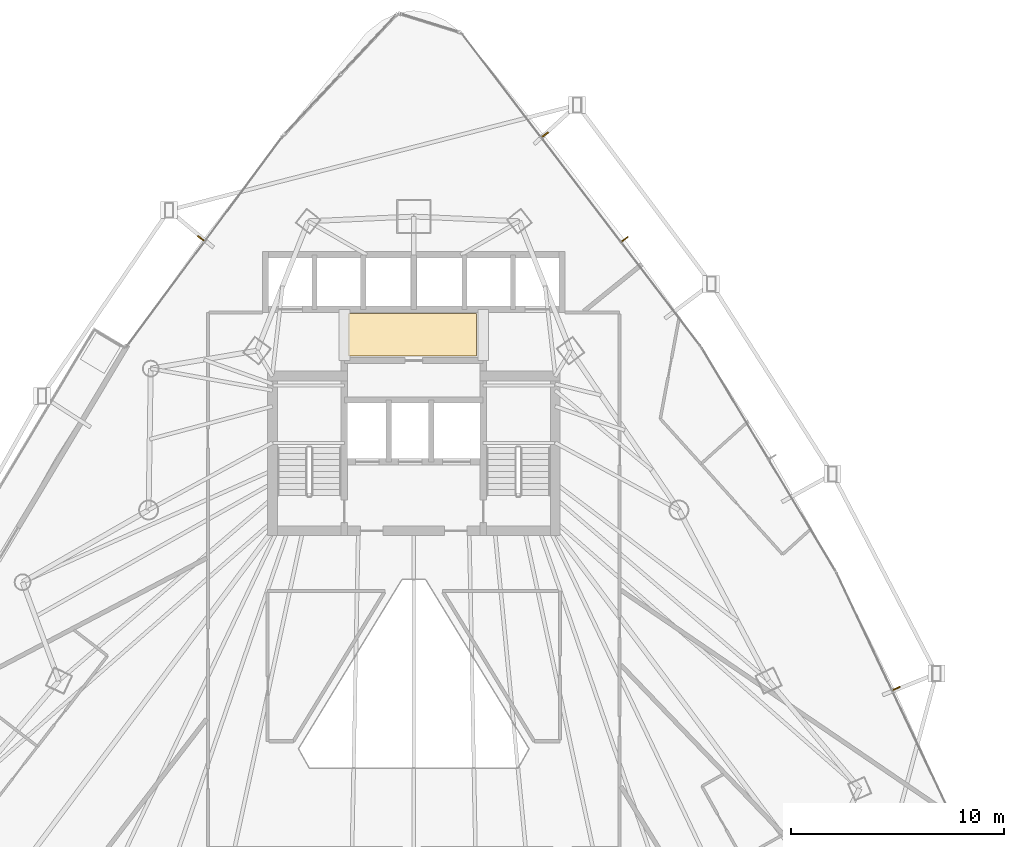
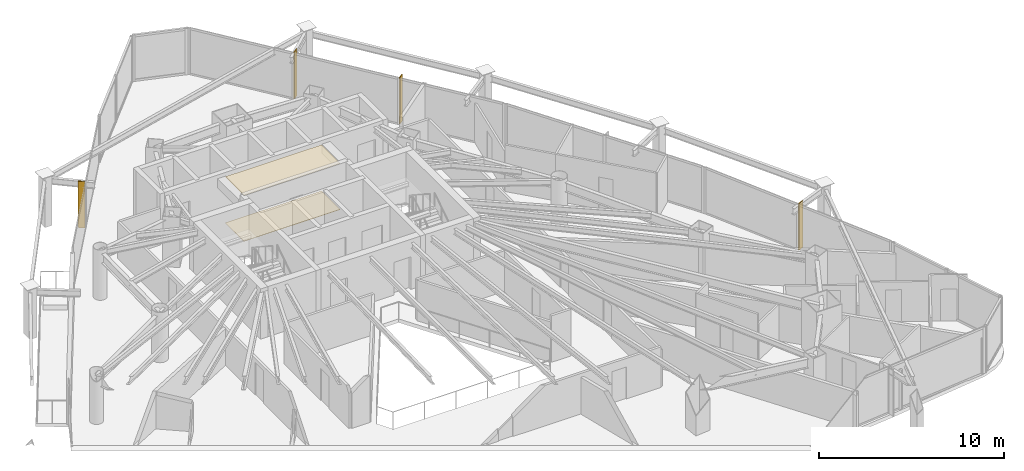
# One storey, part 34 of 34: 4 shading devices, 2 coverings.
"""IFC4 building model written with IfcOpenShell, lengths in metres."""

from ifc_helpers import new_model, si_unit, direction, frame, origin, origin_2d, place, context, subcontext, project, spatial, polyline, rectangle, outline, extrude, material, layer, layer_set, type_object, element, save


model = new_model("IFC4")

# Units and contexts
model_context = context("Model", 3, precision=1e-05, world=origin(), true_north=direction((0.0, 1.0)))
body_context = subcontext(model_context, "Body", "Model", "MODEL_VIEW")
ifc_project = project(units=[si_unit("LENGTHUNIT", "METRE"), si_unit("AREAUNIT", "SQUARE_METRE"), si_unit("VOLUMEUNIT", "CUBIC_METRE"), si_unit("PLANEANGLEUNIT", "RADIAN"), si_unit("MASSUNIT", "GRAM", prefix="KILO")], contexts=[model_context])

# Site, building, storey
site_placement = place(None, origin())
site = spatial("IfcSite", under=ifc_project, at=site_placement, CompositionType="ELEMENT")
building_placement = place(site_placement, origin())
building = spatial("IfcBuilding", under=site, at=building_placement, Name="Orvanel Arch Residences", CompositionType="ELEMENT")
storey_placement = place(building_placement, frame((0.0, 0.0, 80.75)))
storey = spatial("IfcBuildingStorey", under=building, at=storey_placement, Name="L22", CompositionType="ELEMENT", Elevation=80.75)

# Coverings
ifc_material_1 = material(Name="Perforated acoustic mineral-fibre ceiling tile", Category="gypsum")
ifc_layer_1 = layer(ifc_material_1, 0.034912109375)
ifc_layer_set_1 = layer_set([ifc_layer_1], Name="Perforated acoustic mineral-fibre ceiling tile")
covering_type_1 = type_object("IfcCoveringType", Name="COV-CLG-ACS35", PredefinedType="CEILING", material=ifc_layer_set_1)
covering_1_placement = place(storey_placement, frame((0.0, 0.0, 3.02490234375)))
element("IfcCovering", 1, at=covering_1_placement, inside=storey, type_object=covering_type_1, Name="L22 Lift Lobby Acoustic Ceiling", PredefinedType="CEILING", context=body_context, shape_type="SweptSolid", body=[
    extrude(outline(polyline([(29.949951171875, 34.85009765625), (35.949951171875, 34.85009765625), (35.949951171875, 36.85009765625), (29.949951171875, 36.85009765625), (29.949951171875, 34.85009765625)])), origin(), (0.0, 0.0, 1.0), 0.03515625),
])
ifc_material_2 = material(Name="Honed cementitious terrazzo floor finish", Category="concrete")
ifc_layer_2 = layer(ifc_material_2, 0.02490234375)
ifc_layer_set_2 = layer_set([ifc_layer_2], Name="Honed cementitious terrazzo floor finish")
covering_type_2 = type_object("IfcCoveringType", Name="COV-FLR-TRZ25", PredefinedType="FLOORING", material=ifc_layer_set_2)
covering_2_placement = place(storey_placement, origin())
element("IfcCovering", 2, at=covering_2_placement, inside=storey, type_object=covering_type_2, Name="L22 Lift Lobby Terrazzo Flooring", PredefinedType="FLOORING", context=body_context, shape_type="SweptSolid", body=[
    extrude(outline(polyline([(29.949951171875, 34.85009765625), (35.949951171875, 34.85009765625), (35.949951171875, 36.85009765625), (29.949951171875, 36.85009765625), (29.949951171875, 34.85009765625)])), origin(), (0.0, 0.0, 1.0), 0.02490234375),
])

# Shading devices
ifc_material_3 = material(Name="Bronze-anodised aluminium AA6063-T6", Category="aluminium")
ifc_layer_3 = layer(ifc_material_3, 0.06005859375)
ifc_layer_set_3 = layer_set([ifc_layer_3], Name="Bronze-anodised aluminium AA6063-T6")
shading_device_type = type_object("IfcShadingDeviceType", Name="FIN-BRZ-380", PredefinedType="USERDEFINED", material=ifc_layer_set_3)
for number, where, z_axis, x_axis, name in (
    (3, (23.030029296875, 40.367919921875, 0.0), (0.0, 0.0, 1.0), (-0.802817475191, 0.596224874966, 0.0), "L22 Anodised Bronze Mullion FIN 01"),
    (4, (55.625, 19.27197265625, 0.0), (0.0, 0.0, 1.0), (0.904082549661, 0.427357863387, 0.0), "L22 Anodised Bronze Mullion FIN 01"),
    (5, (42.89306640625, 40.3330078125, 0.0), (0.0, 0.0, 1.0), (0.794414620535, 0.607375839723, 0.0), "L22 Anodised Bronze Mullion FIN 01"),
    (6, (39.15087890625, 45.23193359375, 0.0), (0.0, 0.0, 1.0), (0.794414620535, 0.607375839723, 0.0), "L22 Anodised Bronze Mullion FIN 02"),
):
    element("IfcShadingDevice", number, at=place(storey_placement, frame(where, z_axis=z_axis, x_axis=x_axis)), inside=storey, type_object=shading_device_type, Name=name, ObjectType="FIN", PredefinedType="USERDEFINED", context=body_context, shape_type="SweptSolid", body=[
        extrude(rectangle(XDim=0.3798828125, YDim=0.06005859375, at=origin_2d()), origin(), (0.0, 0.0, 1.0), 3.06005859375),
    ])

save(model, "model.ifc")
